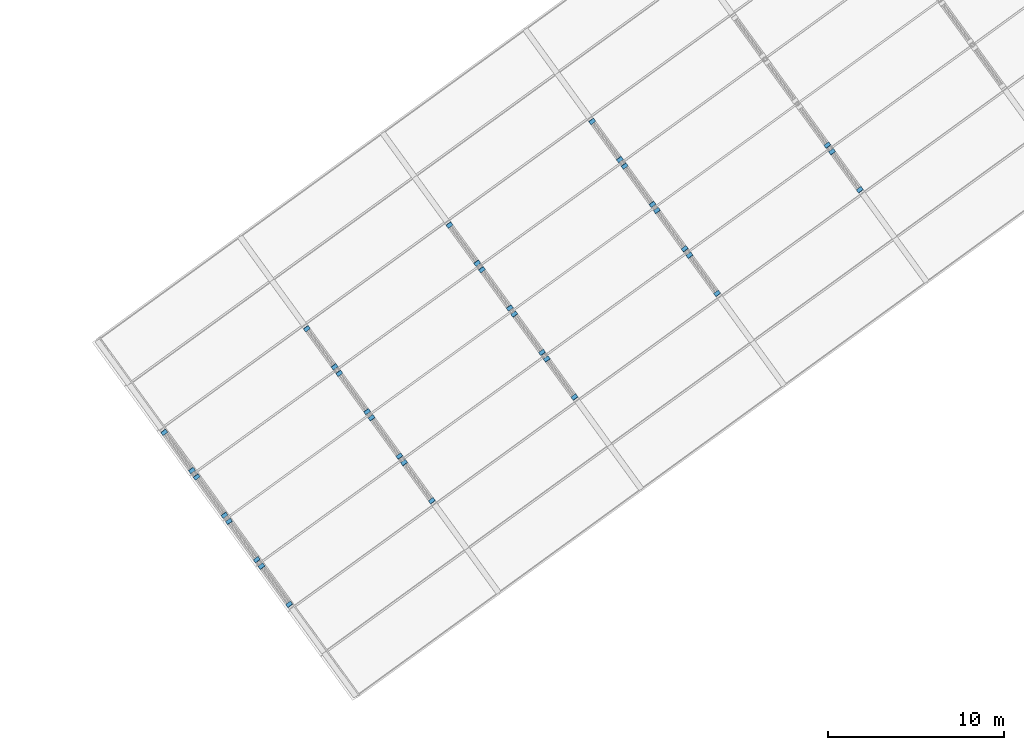
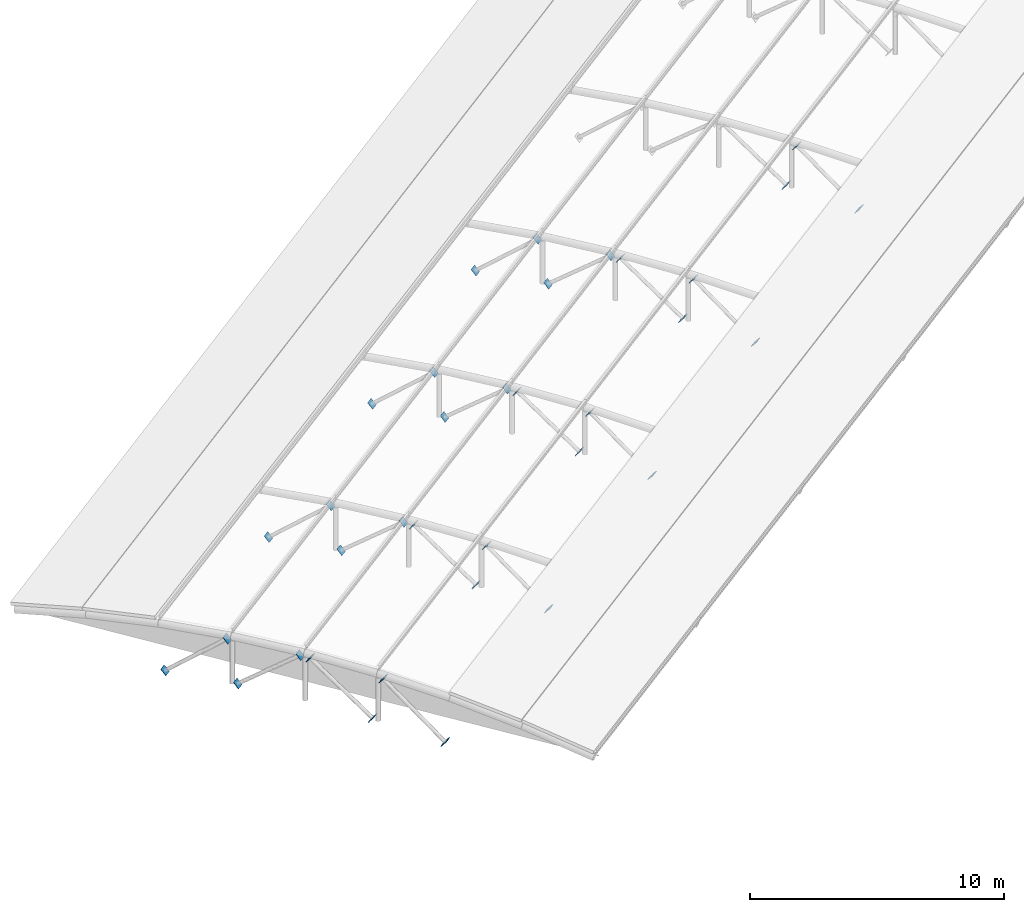
# One storey, part 39 of 41: 35 discrete accessories.
"""IFC4 building model written with IfcOpenShell, lengths in metres."""

import ifcopenshell
import ifcopenshell.guid

model = None  # the IFC model being written
_history = None  # IfcOwnerHistory: only IFC2X3 demands one
_inside = {}  # id of a spatial element -> (the spatial element, [elements in it])
_under = {}  # id of a project, library or spatial element -> (it, [spatial elements below it])
_declared = {}  # id of a project -> (the project, [libraries it declares])
_typed = {}  # id of a type object -> (the type object, [elements of that type])
_made_of = {}  # id of a material, layer set ... -> (it, [elements and type objects made of it])


def new_model(schema):
    """Start an empty IFC model of exactly this schema.

    Asked for "IFC4X3", IfcOpenShell would pick the latest addendum, in which some entities
    have other attributes; the version numbers below select the first issue.
    IFC2X3 requires an IfcOwnerHistory on every rooted entity: one is made here for all.
    """
    global model, _history
    if schema == "IFC4X3":
        model = ifcopenshell.file(schema_version=(4, 3, 0, 0))
    else:
        model = ifcopenshell.file(schema=schema)
    _inside.clear()
    _under.clear()
    _declared.clear()
    _typed.clear()
    _made_of.clear()
    _history = None
    if model.schema == "IFC2X3":
        org = make("IfcOrganization", Name="unknown")
        user = make(
            "IfcPersonAndOrganization",
            ThePerson=make("IfcPerson", FamilyName="unknown"),
            TheOrganization=org,
        )
        app = make(
            "IfcApplication",
            ApplicationDeveloper=org,
            Version="unknown",
            ApplicationFullName="unknown",
            ApplicationIdentifier="unknown",
        )
        _history = make(
            "IfcOwnerHistory",
            OwningUser=user,
            OwningApplication=app,
            ChangeAction="ADDED",
            CreationDate=0,
        )
    return model


def make(cls, **values):
    """One entity of the class cls with the attributes given. An attribute that is None is left unset."""
    return model.create_entity(
        cls, **{name: value for name, value in values.items() if value is not None}
    )


def rooted(cls, **values):
    """An entity with a GlobalId (a new one), such as an element, a storey or a relation."""
    return make(cls, GlobalId=ifcopenshell.guid.new(), OwnerHistory=_history, **values)


def si_unit(unit_type, name, prefix=None):
    """IfcSIUnit, for example si_unit("LENGTHUNIT", "METRE", prefix="MILLI")."""
    return make("IfcSIUnit", UnitType=unit_type, Prefix=prefix, Name=name)


def assignment(units):
    """IfcUnitAssignment: the units of a project."""
    return None if units is None else make("IfcUnitAssignment", Units=units)


def point(xyz):
    """IfcCartesianPoint."""
    return None if xyz is None else make("IfcCartesianPoint", Coordinates=xyz)


def direction(xyz):
    """IfcDirection."""
    return None if xyz is None else make("IfcDirection", DirectionRatios=xyz)


def frame(location, z_axis=None, x_axis=None):
    """IfcAxis2Placement3D, a coordinate frame: its origin and axes. An axis left out is left unset."""
    return make(
        "IfcAxis2Placement3D",
        Location=point(location),
        Axis=direction(z_axis),
        RefDirection=direction(x_axis),
    )


def frame_2d(location, x_axis=None):
    """IfcAxis2Placement2D, a coordinate frame in the plane: its origin and x axis."""
    return make(
        "IfcAxis2Placement2D", Location=point(location), RefDirection=direction(x_axis)
    )


def origin():
    """The frame at (0, 0, 0) with its axes left unset."""
    return frame((0.0, 0.0, 0.0))


def origin_2d():
    """The frame at (0, 0) in the plane with its x axis left unset."""
    return frame_2d((0.0, 0.0))


def place(relative_to, where):
    """IfcLocalPlacement: puts the frame where relative to a parent placement (None: the world)."""
    return make(
        "IfcLocalPlacement", PlacementRelTo=relative_to, RelativePlacement=where
    )


def context(
    kind, dimensions, precision=None, world=None, true_north=None, identifier=None
):
    """IfcGeometricRepresentationContext, for example the 3D "Model" context."""
    return make(
        "IfcGeometricRepresentationContext",
        ContextIdentifier=identifier,
        ContextType=kind,
        CoordinateSpaceDimension=dimensions,
        Precision=precision,
        WorldCoordinateSystem=world,
        TrueNorth=true_north,
    )


def subcontext(parent, identifier, kind, view, scale=None):
    """IfcGeometricRepresentationSubContext, for example "Body" below "Model"."""
    return make(
        "IfcGeometricRepresentationSubContext",
        ContextIdentifier=identifier,
        ContextType=kind,
        ParentContext=parent,
        TargetScale=scale,
        TargetView=view,
    )


def project(units=None, contexts=None):
    """IfcProject with its units and contexts."""
    return rooted(
        "IfcProject",
        Name="project",
        RepresentationContexts=contexts,
        UnitsInContext=assignment(units),
    )


def spatial(cls, under=None, at=None, **own):
    """A site, building, storey or space (cls), placed at a placement, below another one or the project."""
    s = rooted(cls, ObjectPlacement=at, **own)
    if under is not None:
        _under.setdefault(under.id(), (under, []))[1].append(s)
    return s


def profile(cls, at=None, kind="AREA", **sizes):
    """A parametric profile (cls). Its sizes go by their IFC names, for example OverallWidth=200.0."""
    return make(cls, ProfileType=kind, Position=at, **sizes)


def rectangle(**sizes):
    """IfcRectangleProfileDef."""
    return profile("IfcRectangleProfileDef", **sizes)


def extrude(swept, where, along, depth):
    """IfcExtrudedAreaSolid: the profile swept, set in the frame where, extruded along a direction by depth."""
    return make(
        "IfcExtrudedAreaSolid",
        SweptArea=swept,
        Position=where,
        ExtrudedDirection=direction(along),
        Depth=depth,
    )


def shape(context_of_items, identifier, shape_type, items):
    """IfcShapeRepresentation: the items that make up one representation, for example the "Body"."""
    return make(
        "IfcShapeRepresentation",
        ContextOfItems=context_of_items,
        RepresentationIdentifier=identifier,
        RepresentationType=shape_type,
        Items=items,
    )


def material(Name=None, Category=None):
    """IfcMaterial."""
    return make("IfcMaterial", Name=Name, Category=Category)


def layer(
    of_material, thickness, ventilated=None, Name=None, Category=None, Priority=None
):
    """IfcMaterialLayer: one layer of a wall or slab, of a material (None: an air gap)."""
    return make(
        "IfcMaterialLayer",
        Material=of_material,
        LayerThickness=thickness,
        IsVentilated=ventilated,
        Name=Name,
        Category=Category,
        Priority=Priority,
    )


def layer_set(layers, Name=None):
    """IfcMaterialLayerSet."""
    return make("IfcMaterialLayerSet", MaterialLayers=layers, LayerSetName=Name)


def made_of(thing, what):
    """Note that an element or type object is made of a material, layer set ...; save() writes the relation."""
    if what is not None:
        _made_of.setdefault(what.id(), (what, []))[1].append(thing)
    return thing


def type_object(cls, material=None, **own):
    """A type object (cls), such as IfcWallType, which elements share."""
    return made_of(rooted(cls, **own), material)


def element(
    cls,
    number,
    at=None,
    inside=None,
    cuts=None,
    type_object=None,
    material=None,
    context=None,
    identifier="Body",
    shape_type=None,
    held_by="IfcProductDefinitionShape",
    body=None,
    shapes=None,
    **own,
):
    """One element of the class cls, such as IfcWall. Its Tag is "e" and its number.

    at: its placement. inside: the storey or other place that contains it. cuts: it is an
    opening in that element (IfcRelVoidsElement). A single representation is given by context,
    identifier, shape_type and body (its items); several are given by shapes. held_by: the class
    of the entity that holds the representations. save() writes the other relations.
    """
    e = rooted(cls, Tag="e%d" % number, ObjectPlacement=at, **own)
    if body is not None:
        shapes = [shape(context, identifier, shape_type, body)]
    if shapes is not None:
        e.Representation = make(held_by, Representations=shapes)
    if inside is not None:
        _inside.setdefault(inside.id(), (inside, []))[1].append(e)
    if cuts is not None:
        rooted(
            "IfcRelVoidsElement", RelatingBuildingElement=cuts, RelatedOpeningElement=e
        )
    if type_object is not None:
        _typed.setdefault(type_object.id(), (type_object, []))[1].append(e)
    return made_of(e, material)


def aggregate(whole, parts):
    """IfcRelAggregates: a whole, such as a stair, and the parts it consists of."""
    return rooted("IfcRelAggregates", RelatingObject=whole, RelatedObjects=parts)


def save(model, path):
    """Write the relations noted so far, then the file.

    IfcRelAggregates (storeys below a building ...), IfcRelContainedInSpatialStructure (elements
    in a storey), IfcRelDefinesByType, IfcRelAssociatesMaterial and IfcRelDeclares: one each for
    every whole, place, type object, material and project.
    """
    for whole, parts in _under.values():
        aggregate(whole, parts)
    for where, things in _inside.values():
        rooted(
            "IfcRelContainedInSpatialStructure",
            RelatedElements=things,
            RelatingStructure=where,
        )
    for kind, things in _typed.values():
        rooted("IfcRelDefinesByType", RelatedObjects=things, RelatingType=kind)
    for what, things in _made_of.values():
        rooted("IfcRelAssociatesMaterial", RelatedObjects=things, RelatingMaterial=what)
    for by, libraries in _declared.values():
        rooted("IfcRelDeclares", RelatingContext=by, RelatedDefinitions=libraries)
    model.write(path)


model = new_model("IFC4")

# Units and contexts
model_context = context("Model", 3, precision=1e-05, world=origin(), true_north=direction((0.0, 1.0)))
body_context = subcontext(model_context, "Body", "Model", "MODEL_VIEW")
ifc_project = project(units=[si_unit("LENGTHUNIT", "METRE"), si_unit("AREAUNIT", "SQUARE_METRE"), si_unit("VOLUMEUNIT", "CUBIC_METRE"), si_unit("PLANEANGLEUNIT", "RADIAN"), si_unit("MASSUNIT", "GRAM", prefix="KILO")], contexts=[model_context])

# Site, building, storey
site_placement = place(None, origin())
site = spatial("IfcSite", under=ifc_project, at=site_placement, CompositionType="ELEMENT")
building_placement = place(site_placement, origin())
building = spatial("IfcBuilding", under=site, at=building_placement, Name="Okhra Congress Centre", CompositionType="ELEMENT")
storey_placement = place(building_placement, frame((0.0, 0.0, 21.60009765625)))
storey = spatial("IfcBuildingStorey", under=building, at=storey_placement, Name="ROOF", CompositionType="ELEMENT", Elevation=21.60009765625)

# Discrete accessories
ifc_material = material(Name="Steel S355J2", Category="steel")
ifc_layer = layer(ifc_material, 0.02001953125)
ifc_layer_set = layer_set([ifc_layer], Name="Brace end connection plate 20 mm S355")
discrete_accessory_type = type_object("IfcDiscreteAccessoryType", Name="Brace end connection plate 20 mm S355", PredefinedType="BRACKET", material=ifc_layer_set)
for number, where, z_axis, x_axis, name in (
    (1, (217.480712890625, 173.079345703125, -1.07080078125), (0.452770910566, -0.611852581845, -0.648563736756), (0.803841899203, 0.59484300541, 0.0), "Brace end connection plate"),
    (2, (215.9189453125, 175.22900390625, 1.19970703125), (-0.452770910566, 0.611852581845, 0.648563736756), (-0.803841899203, -0.59484300541, 0.0), "Brace end connection plate"),
    (3, (215.641845703125, 175.610595703125, -0.812255859375), (0.452906572265, -0.636517344804, -0.624276626635), (0.8147908412, 0.579755021623, 0.0), "Brace end connection plate"),
):
    element("IfcDiscreteAccessory", number, at=place(storey_placement, frame(where, z_axis=z_axis, x_axis=x_axis)), inside=storey, type_object=discrete_accessory_type, Name=name, PredefinedType="BRACKET", context=body_context, shape_type="SweptSolid", body=[
        extrude(rectangle(XDim=0.3369140625, YDim=0.3369140625, at=origin_2d()), origin(), (0.0, 0.0, 1.0), 0.02001953125),
    ])
discrete_accessory_1_placement = place(storey_placement, frame((214.073486328125, 177.768798828125, 1.3046875), z_axis=(-0.45637296344, 0.641389029699, 0.616720220864), x_axis=(-0.8147908412, -0.579755021623, 0.0)))
element("IfcDiscreteAccessory", 4, at=discrete_accessory_1_placement, inside=storey, type_object=discrete_accessory_type, Name="Brace end connection plate", PredefinedType="BRACKET", context=body_context, shape_type="SweptSolid", body=[
    extrude(rectangle(XDim=0.3369140625, YDim=0.3369140625, at=origin_2d()), origin(), (0.0, 0.0, 1.0), 0.019775390625),
])
for number, where, z_axis, x_axis, name in (
    (5, (212.23876953125, 180.294189453125, -0.812255859375), (-0.452906572265, 0.636517344804, -0.624276626635), (-0.8147908412, -0.579755021623, 0.0), "Brace end connection plate"),
    (6, (213.806884765625, 178.1357421875, 1.3046875), (0.466055986886, -0.63776082416, 0.613231561692), (0.807391122258, 0.590016589342, 0.0), "Brace end connection plate"),
    (7, (210.39990234375, 182.825439453125, -1.07080078125), (-0.452770910566, 0.611852581845, -0.648563736756), (-0.803841899203, -0.59484300541, 0.0), "Brace end connection plate"),
    (8, (211.961669921875, 180.67578125, 1.19970703125), (0.449385346725, -0.619423045486, 0.643714145309), (0.809421847963, 0.587227615189, 0.0), "Brace end connection plate"),
    (9, (225.57080078125, 178.957275390625, -1.07080078125), (0.449385346725, -0.619423045486, -0.643714145309), (0.809421847963, 0.587227615189, 0.0), "Brace end connection plate"),
):
    element("IfcDiscreteAccessory", number, at=place(storey_placement, frame(where, z_axis=z_axis, x_axis=x_axis)), inside=storey, type_object=discrete_accessory_type, Name=name, PredefinedType="BRACKET", context=body_context, shape_type="SweptSolid", body=[
        extrude(rectangle(XDim=0.3369140625, YDim=0.3369140625, at=origin_2d()), origin(), (0.0, 0.0, 1.0), 0.02001953125),
    ])
discrete_accessory_2_placement = place(storey_placement, frame((224.009033203125, 181.10693359375, 1.19970703125), z_axis=(-0.442961610803, 0.615224459448, 0.652137927015), x_axis=(-0.811534341451, -0.584304725845, 0.0)))
element("IfcDiscreteAccessory", 10, at=discrete_accessory_2_placement, inside=storey, type_object=discrete_accessory_type, Name="Brace end connection plate", PredefinedType="BRACKET", context=body_context, shape_type="SweptSolid", body=[
    extrude(rectangle(XDim=0.3369140625, YDim=0.3369140625, at=origin_2d()), origin(), (0.0, 0.0, 1.0), 0.019775390625),
])
for number, where, z_axis, x_axis, name in (
    (11, (223.73193359375, 181.48828125, -0.812255859375), (0.462555535424, -0.632970732686, -0.620798218596), (0.807391122258, 0.590016589342, 0.0), "Brace end connection plate"),
    (12, (222.163818359375, 183.646728515625, 1.3046875), (-0.466055986886, 0.63776082416, 0.613231561692), (-0.807391122258, -0.590016589342, 0.0), "Brace end connection plate"),
    (13, (220.3291015625, 186.172119140625, -0.812255859375), (-0.462555535424, 0.632970732686, -0.620798218596), (-0.807391122258, -0.590016589342, 0.0), "Brace end connection plate"),
):
    element("IfcDiscreteAccessory", number, at=place(storey_placement, frame(where, z_axis=z_axis, x_axis=x_axis)), inside=storey, type_object=discrete_accessory_type, Name=name, PredefinedType="BRACKET", context=body_context, shape_type="SweptSolid", body=[
        extrude(rectangle(XDim=0.3369140625, YDim=0.3369140625, at=origin_2d()), origin(), (0.0, 0.0, 1.0), 0.02001953125),
    ])
discrete_accessory_3_placement = place(storey_placement, frame((221.897216796875, 184.013671875, 1.3046875), z_axis=(0.45637296344, -0.641389029699, 0.616720220864), x_axis=(0.8147908412, 0.579755021623, 0.0)))
element("IfcDiscreteAccessory", 14, at=discrete_accessory_3_placement, inside=storey, type_object=discrete_accessory_type, Name="Brace end connection plate", PredefinedType="BRACKET", context=body_context, shape_type="SweptSolid", body=[
    extrude(rectangle(XDim=0.3369140625, YDim=0.3369140625, at=origin_2d()), origin(), (0.0, 0.0, 1.0), 0.019775390625),
])
for number, where, z_axis, x_axis, name in (
    (15, (218.489990234375, 188.703125, -1.07080078125), (-0.449385346725, 0.619423045486, -0.643714145309), (-0.809421847963, -0.587227615189, 0.0), "Brace end connection plate"),
    (16, (220.0517578125, 186.553466796875, 1.19970703125), (0.452770910566, -0.611852581845, 0.648563736756), (0.803841899203, 0.59484300541, 0.0), "Brace end connection plate"),
):
    element("IfcDiscreteAccessory", number, at=place(storey_placement, frame(where, z_axis=z_axis, x_axis=x_axis)), inside=storey, type_object=discrete_accessory_type, Name=name, PredefinedType="BRACKET", context=body_context, shape_type="SweptSolid", body=[
        extrude(rectangle(XDim=0.3369140625, YDim=0.3369140625, at=origin_2d()), origin(), (0.0, 0.0, 1.0), 0.02001953125),
    ])
discrete_accessory_4_placement = place(storey_placement, frame((233.6611328125, 184.8349609375, -1.07080078125), z_axis=(0.442961610803, -0.615224459448, -0.652137927015), x_axis=(0.811534341451, 0.584304725845, 0.0)))
element("IfcDiscreteAccessory", 17, at=discrete_accessory_4_placement, inside=storey, type_object=discrete_accessory_type, Name="Brace end connection plate", PredefinedType="BRACKET", context=body_context, shape_type="SweptSolid", body=[
    extrude(rectangle(XDim=0.3369140625, YDim=0.3369140625, at=origin_2d()), origin(), (0.0, 0.0, 1.0), 0.019775390625),
])
for number, where, z_axis, x_axis, name in (
    (18, (232.09912109375, 186.984619140625, 1.19970703125), (-0.439613202, 0.6227853695, 0.647208325166), (-0.816967863265, -0.576683197599, 0.0), "Brace end connection plate"),
    (19, (231.822021484375, 187.3662109375, -0.812255859375), (0.462555535424, -0.632970732686, -0.620798218596), (0.807391122258, 0.590016589342, 0.0), "Brace end connection plate"),
    (20, (230.25390625, 189.524658203125, 1.3046875), (-0.466055986886, 0.63776082416, 0.613231561692), (-0.807391122258, -0.590016589342, 0.0), "Brace end connection plate"),
    (21, (228.419189453125, 192.0498046875, -0.812255859375), (-0.462555535424, 0.632970732686, -0.620798218596), (-0.807391122258, -0.590016589342, 0.0), "Brace end connection plate"),
    (22, (229.9873046875, 189.8916015625, 1.3046875), (0.466055986886, -0.63776082416, 0.613231561692), (0.807391122258, 0.590016589342, 0.0), "Brace end connection plate"),
):
    element("IfcDiscreteAccessory", number, at=place(storey_placement, frame(where, z_axis=z_axis, x_axis=x_axis)), inside=storey, type_object=discrete_accessory_type, Name=name, PredefinedType="BRACKET", context=body_context, shape_type="SweptSolid", body=[
        extrude(rectangle(XDim=0.3369140625, YDim=0.3369140625, at=origin_2d()), origin(), (0.0, 0.0, 1.0), 0.02001953125),
    ])
for number, where, z_axis, x_axis, name in (
    (23, (226.580078125, 194.5810546875, -1.07080078125), (-0.442961610803, 0.615224459448, -0.652137927015), (-0.811534341451, -0.584304725845, 0.0), "Brace end connection plate"),
    (24, (228.14208984375, 192.431396484375, 1.19970703125), (0.442961610803, -0.615224459448, 0.652137927015), (0.811534341451, 0.584304725845, 0.0), "Brace end connection plate"),
):
    element("IfcDiscreteAccessory", number, at=place(storey_placement, frame(where, z_axis=z_axis, x_axis=x_axis)), inside=storey, type_object=discrete_accessory_type, Name=name, PredefinedType="BRACKET", context=body_context, shape_type="SweptSolid", body=[
        extrude(rectangle(XDim=0.3369140625, YDim=0.3369140625, at=origin_2d()), origin(), (0.0, 0.0, 1.0), 0.019775390625),
    ])
for number, where, z_axis, x_axis, name in (
    (25, (241.751220703125, 190.712890625, -1.07080078125), (0.452770910566, -0.611852581845, -0.648563736756), (0.803841899203, 0.59484300541, 0.0), "Brace end connection plate"),
    (26, (240.189453125, 192.862548828125, 1.19970703125), (-0.449385346725, 0.619423045486, 0.643714145309), (-0.809421847963, -0.587227615189, 0.0), "Brace end connection plate"),
    (27, (239.912353515625, 193.244140625, -0.812255859375), (0.452906572265, -0.636517344804, -0.624276626635), (0.8147908412, 0.579755021623, 0.0), "Brace end connection plate"),
):
    element("IfcDiscreteAccessory", number, at=place(storey_placement, frame(where, z_axis=z_axis, x_axis=x_axis)), inside=storey, type_object=discrete_accessory_type, Name=name, PredefinedType="BRACKET", context=body_context, shape_type="SweptSolid", body=[
        extrude(rectangle(XDim=0.3369140625, YDim=0.3369140625, at=origin_2d()), origin(), (0.0, 0.0, 1.0), 0.02001953125),
    ])
discrete_accessory_5_placement = place(storey_placement, frame((238.343994140625, 195.40234375, 1.3046875), z_axis=(-0.45637296344, 0.641389029699, 0.616720220864), x_axis=(-0.8147908412, -0.579755021623, 0.0)))
element("IfcDiscreteAccessory", 28, at=discrete_accessory_5_placement, inside=storey, type_object=discrete_accessory_type, Name="Brace end connection plate", PredefinedType="BRACKET", context=body_context, shape_type="SweptSolid", body=[
    extrude(rectangle(XDim=0.3369140625, YDim=0.3369140625, at=origin_2d()), origin(), (0.0, 0.0, 1.0), 0.019775390625),
])
for number, where, z_axis, x_axis, name in (
    (29, (236.50927734375, 197.927734375, -0.812255859375), (-0.452906572265, 0.636517344804, -0.624276626635), (-0.8147908412, -0.579755021623, 0.0), "Brace end connection plate"),
    (30, (238.077392578125, 195.769287109375, 1.3046875), (0.466055986886, -0.63776082416, 0.613231561692), (0.807391122258, 0.590016589342, 0.0), "Brace end connection plate"),
    (31, (234.67041015625, 200.458984375, -1.07080078125), (-0.452770910566, 0.611852581845, -0.648563736756), (-0.803841899203, -0.59484300541, 0.0), "Brace end connection plate"),
    (32, (236.232177734375, 198.309326171875, 1.19970703125), (0.449385346725, -0.619423045486, 0.643714145309), (0.809421847963, 0.587227615189, 0.0), "Brace end connection plate"),
    (33, (249.84130859375, 196.5908203125, -1.07080078125), (0.449385346725, -0.619423045486, -0.643714145309), (0.809421847963, 0.587227615189, 0.0), "Brace end connection plate"),
):
    element("IfcDiscreteAccessory", number, at=place(storey_placement, frame(where, z_axis=z_axis, x_axis=x_axis)), inside=storey, type_object=discrete_accessory_type, Name=name, PredefinedType="BRACKET", context=body_context, shape_type="SweptSolid", body=[
        extrude(rectangle(XDim=0.3369140625, YDim=0.3369140625, at=origin_2d()), origin(), (0.0, 0.0, 1.0), 0.02001953125),
    ])
discrete_accessory_6_placement = place(storey_placement, frame((248.279541015625, 198.740478515625, 1.19970703125), z_axis=(-0.442961610803, 0.615224459448, 0.652137927015), x_axis=(-0.811534341451, -0.584304725845, 0.0)))
element("IfcDiscreteAccessory", 34, at=discrete_accessory_6_placement, inside=storey, type_object=discrete_accessory_type, Name="Brace end connection plate", PredefinedType="BRACKET", context=body_context, shape_type="SweptSolid", body=[
    extrude(rectangle(XDim=0.3369140625, YDim=0.3369140625, at=origin_2d()), origin(), (0.0, 0.0, 1.0), 0.019775390625),
])
discrete_accessory_7_placement = place(storey_placement, frame((248.00244140625, 199.121826171875, -0.812255859375), z_axis=(0.466126107399, -0.625590302035, -0.625590302035), x_axis=(0.801882827613, 0.597481322535, 0.0)))
element("IfcDiscreteAccessory", 35, at=discrete_accessory_7_placement, inside=storey, type_object=discrete_accessory_type, Name="Brace end connection plate", PredefinedType="BRACKET", context=body_context, shape_type="SweptSolid", body=[
    extrude(rectangle(XDim=0.3369140625, YDim=0.3369140625, at=origin_2d()), origin(), (0.0, 0.0, 1.0), 0.02001953125),
])

save(model, "model.ifc")
